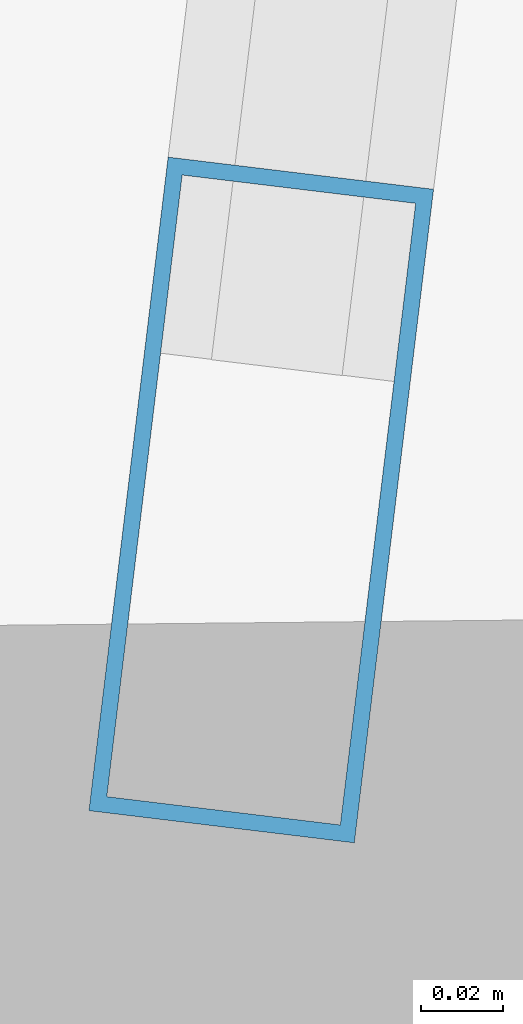
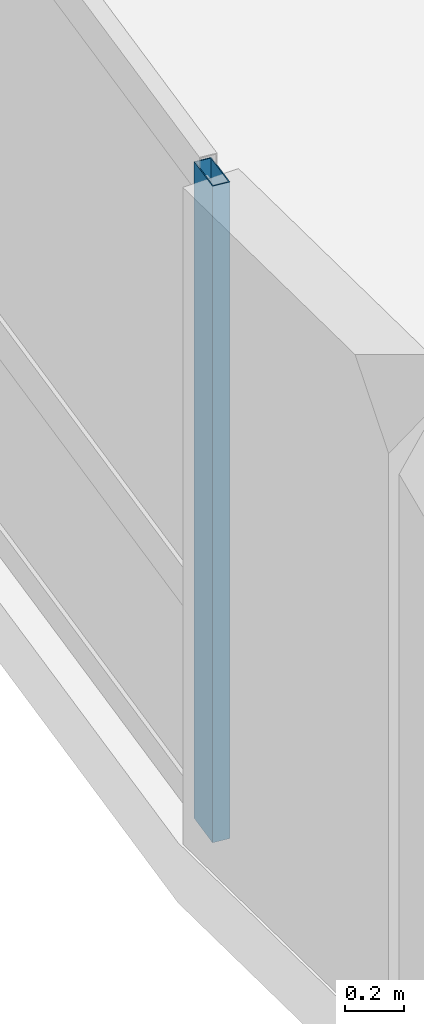
# One storey, part 2 of 26: 1 member, 1 element without a shape of its own.
"""IFC4 building model written with IfcOpenShell, lengths in metres."""

from ifc_helpers import new_model, si_unit, direction, frame, origin, origin_2d, place, context, subcontext, project, spatial, hollow_rectangle, extrude, material, layer, layer_set, material_profile, profile_set, type_object, element, aggregate, save


model = new_model("IFC4")

# Units and contexts
model_context = context("Model", 3, precision=1e-05, world=origin(), true_north=direction((0.0, 1.0)))
body_context = subcontext(model_context, "Body", "Model", "MODEL_VIEW")
ifc_project = project(units=[si_unit("LENGTHUNIT", "METRE"), si_unit("AREAUNIT", "SQUARE_METRE"), si_unit("VOLUMEUNIT", "CUBIC_METRE"), si_unit("PLANEANGLEUNIT", "RADIAN"), si_unit("MASSUNIT", "GRAM", prefix="KILO")], contexts=[model_context])

# Site, building, storey
site_placement = place(None, origin())
site = spatial("IfcSite", under=ifc_project, at=site_placement, CompositionType="ELEMENT")
building_placement = place(site_placement, origin())
building = spatial("IfcBuilding", under=site, at=building_placement, Name="Varnelok Gate Tower", CompositionType="ELEMENT")
storey_placement = place(building_placement, frame((0.0, 0.0, 143.89990234375)))
storey = spatial("IfcBuildingStorey", under=building, at=storey_placement, Name="L36", CompositionType="ELEMENT", Elevation=143.89990234375)

# Curtain wall, member
ifc_material = material(Name="Anodized Aluminum Alloy 6063-T6", Category="aluminium")
ifc_layer = layer(ifc_material, 0.179931640625)
ifc_layer_set = layer_set([ifc_layer], Name="Anodized Aluminum Alloy 6063-T6")
curtain_wall_type = type_object("IfcCurtainWallType", Name="CW3-HOTEL-VISION", PredefinedType="USERDEFINED", material=ifc_layer_set)
curtain_wall_placement = place(storey_placement, origin())
curtain_wall = element("IfcCurtainWall", 1, at=curtain_wall_placement, inside=storey, type_object=curtain_wall_type, Name="L36 West End Vision Curtain Wall", ObjectType="UNITISED CURTAIN WALL", PredefinedType="USERDEFINED")
ifc_material_profile = material_profile(ifc_material, hollow_rectangle(XDim=0.06494140625, YDim=0.159912109375, WallThickness=0.00390625, at=origin_2d()), Name="ALU160X65X4")
ifc_profile_set = profile_set([ifc_material_profile], Name="Anodized Aluminum Alloy 6063-T6")
member_type = type_object("IfcMemberType", Name="CW-MULL-160", PredefinedType="MULLION", material=ifc_profile_set)
member_placement = place(storey_placement, frame((0.2470703125, 11.923095703125, 0.0), z_axis=(0.0, 0.0, 1.0), x_axis=(-0.99273188146, 0.120347046212, 0.0)))
member = element("IfcMember", 2, at=member_placement, type_object=member_type, Name="CW3 mullion 1", PredefinedType="MULLION", context=body_context, shape_type="SweptSolid", body=[
    extrude(hollow_rectangle(XDim=0.06494140625, YDim=0.159912109375, WallThickness=0.00390625, at=origin_2d()), origin(), (0.0, 0.0, 1.0), 2.72998046875),
])
aggregate(curtain_wall, [member])

save(model, "model.ifc")
